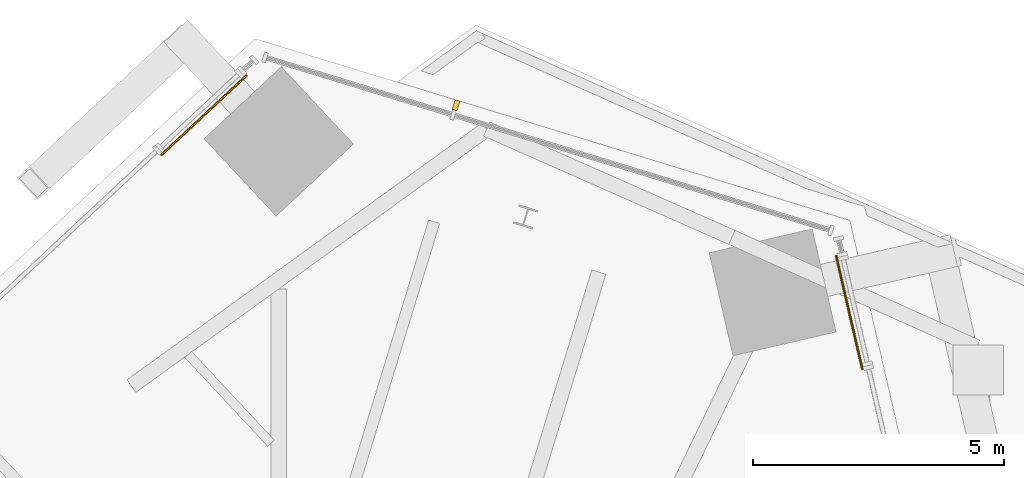
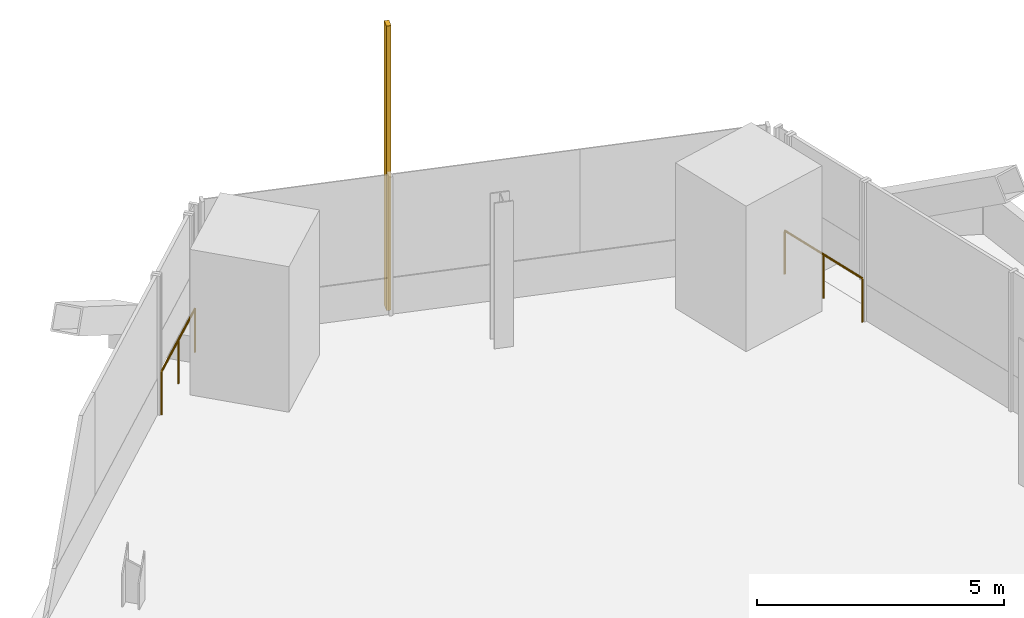
# One storey, part 24 of 25: 2 railings, 1 shading device.
"""IFC4 building model written with IfcOpenShell, lengths in metres."""

from ifc_helpers import new_model, si_unit, direction, frame, origin, origin_2d, place, context, subcontext, project, spatial, rectangle, circle, extrude, source, transform, mapped, material, type_object, element, save


model = new_model("IFC4")

# Units and contexts
model_context = context("Model", 3, precision=1e-05, world=origin(), true_north=direction((0.0, 1.0)))
body_context = subcontext(model_context, "Body", "Model", "MODEL_VIEW")
ifc_project = project(units=[si_unit("LENGTHUNIT", "METRE"), si_unit("AREAUNIT", "SQUARE_METRE"), si_unit("VOLUMEUNIT", "CUBIC_METRE"), si_unit("PLANEANGLEUNIT", "RADIAN"), si_unit("MASSUNIT", "GRAM", prefix="KILO")], contexts=[model_context])

# Site, building, storey
site_placement = place(None, origin())
site = spatial("IfcSite", under=ifc_project, at=site_placement, CompositionType="ELEMENT")
building_placement = place(site_placement, origin())
building = spatial("IfcBuilding", under=site, at=building_placement, Name="Triune Harvest Tower", CompositionType="ELEMENT")
storey_placement = place(building_placement, frame((0.0, 0.0, 98.300048828125)))
storey = spatial("IfcBuildingStorey", under=building, at=storey_placement, Name="L24", CompositionType="ELEMENT", Elevation=98.300048828125)

# Railings
ifc_material_1 = material(Name="Glass", Category="glass")
railing_type = type_object("IfcRailingType", Name="GD-3 facade guard 1100", PredefinedType="GUARDRAIL", material=ifc_material_1)
railing_1_placement = place(storey_placement, frame((16.08447265625, 27.686279296875, 0.0)))
element("IfcRailing", 1, at=railing_1_placement, inside=storey, type_object=railing_type, Name="Facade guard B3-F1 L24.1.2", PredefinedType="GUARDRAIL", context=body_context, shape_type="SweptSolid", body=[
    extrude(circle(Radius=0.02392578125, at=origin_2d()), frame((0.0, 0.0, 1.076171875), z_axis=(-0.224944507652, 0.974371576185, 0.0), x_axis=(-0.974371576185, -0.224944507652, 0.0)), (0.0, 0.0, 1.0), 2.307373046875),
    extrude(circle(Radius=0.02099609375, at=origin_2d()), origin(), (0.0, 0.0, 1.0), 1.052001953125),
    extrude(circle(Radius=0.02099609375, at=origin_2d()), frame((-0.259521484375, 1.1240234375, 0.0)), (0.0, 0.0, 1.0), 1.052001953125),
    extrude(circle(Radius=0.02099609375, at=origin_2d()), frame((-0.51904296875, 2.248291015625, 0.0)), (0.0, 0.0, 1.0), 1.052001953125),
])
railing_2_placement = place(storey_placement, frame((3.8349609375, 33.52099609375, 0.0)))
element("IfcRailing", 2, at=railing_2_placement, inside=storey, type_object=railing_type, Name="Facade guard B3-F3 L24.1.1", PredefinedType="GUARDRAIL", context=body_context, shape_type="SweptSolid", body=[
    extrude(circle(Radius=0.02392578125, at=origin_2d()), frame((0.0, 0.0, 1.076171875), z_axis=(-0.731329650741, -0.68202415056, 0.0), x_axis=(0.68202415056, -0.731329650741, 0.0)), (0.0, 0.0, 1.0), 2.307373046875),
    extrude(circle(Radius=0.02099609375, at=origin_2d()), origin(), (0.0, 0.0, 1.0), 1.052001953125),
    extrude(circle(Radius=0.02099609375, at=origin_2d()), frame((-0.84375, -0.786865234375, 0.0)), (0.0, 0.0, 1.0), 1.052001953125),
    extrude(circle(Radius=0.02099609375, at=origin_2d()), frame((-1.6875, -1.57373046875, 0.0)), (0.0, 0.0, 1.0), 1.052001953125),
])

# Shading device
ifc_material_2 = material(Name="Aluminium bronze anodised", Category="aluminium")
shared_shape = source(origin(), body_context, "Body", "SweptSolid", [
    extrude(rectangle(XDim=0.10009765625, YDim=0.199951171875, at=origin_2d()), origin(), (0.0, 0.0, 1.0), 7.0400390625),
])
shading_device_placement = place(storey_placement, frame((8.003662109375, 32.931640625, 0.0), z_axis=(0.0, 0.0, 1.0), x_axis=(-0.956303148607, 0.292376962095, 0.0)))
element("IfcShadingDevice", 3, at=shading_device_placement, inside=storey, material=ifc_material_2, Name="FN-1 fin B3-F2.3 L24", ObjectType="FIN", PredefinedType="USERDEFINED", context=body_context, shape_type="MappedRepresentation", body=[
    mapped(shared_shape, transform((0.0, 0.0, 0.0), scale=1.0)),
])

save(model, "model.ifc")
